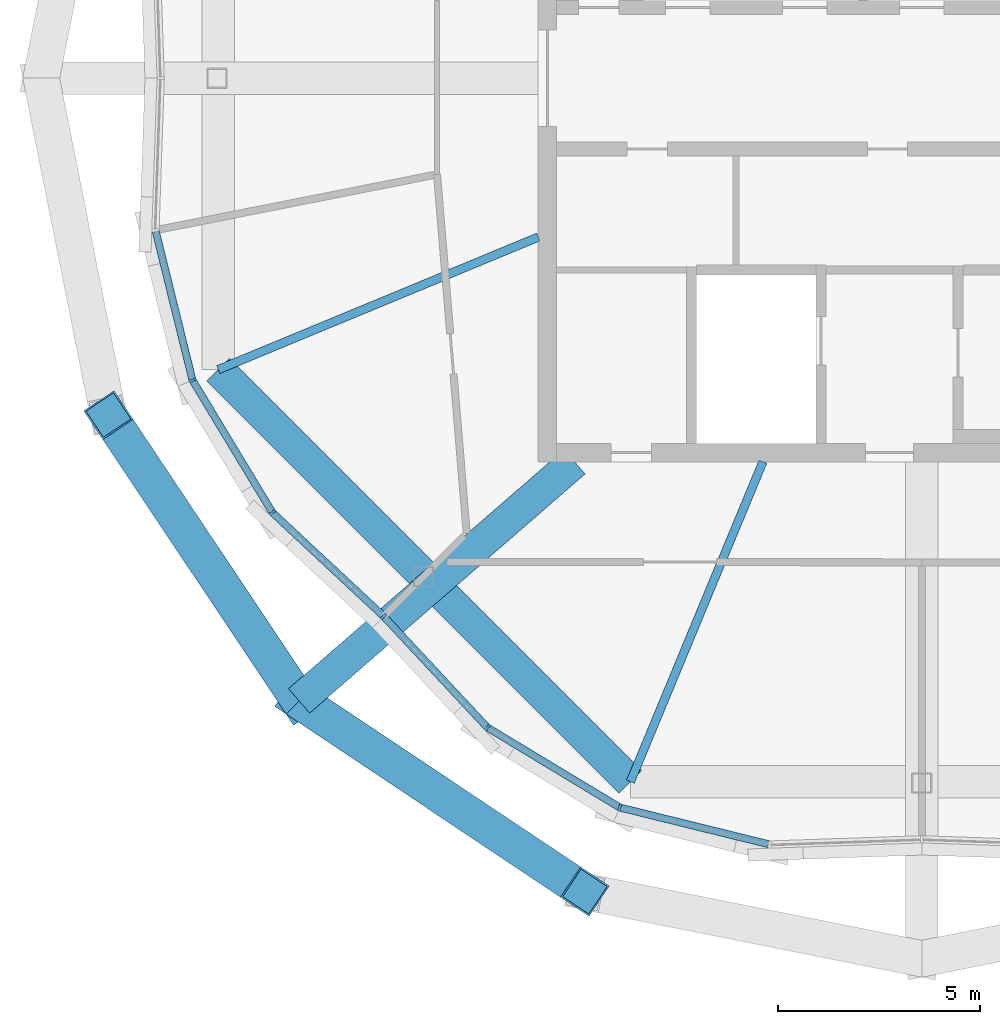
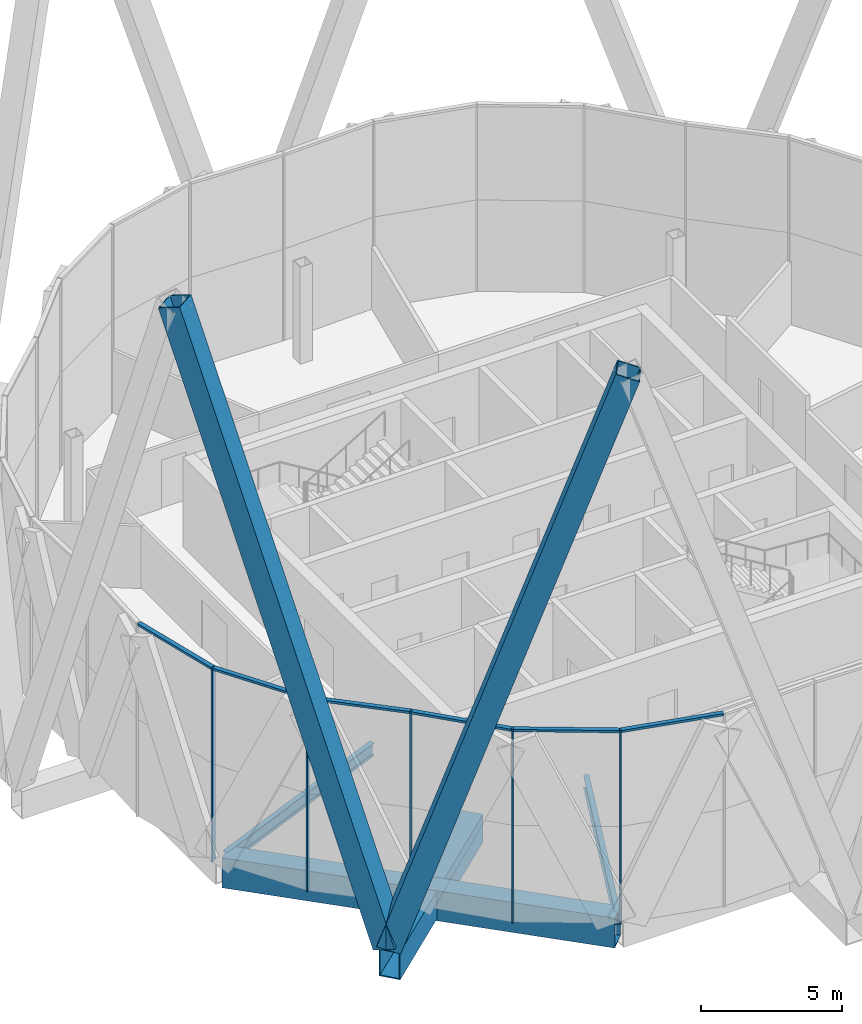
# One storey, part 3 of 38: 13 members, 4 beams, 2 elements without a shape of their own.
"""IFC4 building model written with IfcOpenShell, lengths in metres."""

from ifc_helpers import new_model, si_unit, direction, frame, origin, origin_2d, place, context, subcontext, project, spatial, rectangle, hollow_rectangle, i_section, extrude, material, material_profile, profile_set, type_object, element, aggregate, save


model = new_model("IFC4")

# Units and contexts
model_context = context("Model", 3, precision=1e-05, world=origin(), true_north=direction((0.0, 1.0)))
body_context = subcontext(model_context, "Body", "Model", "MODEL_VIEW")
ifc_project = project(units=[si_unit("LENGTHUNIT", "METRE"), si_unit("AREAUNIT", "SQUARE_METRE"), si_unit("VOLUMEUNIT", "CUBIC_METRE"), si_unit("PLANEANGLEUNIT", "RADIAN"), si_unit("MASSUNIT", "GRAM", prefix="KILO")], contexts=[model_context])

# Site, building, storey
site_placement = place(None, origin())
site = spatial("IfcSite", under=ifc_project, at=site_placement, CompositionType="ELEMENT")
building_placement = place(site_placement, origin())
building = spatial("IfcBuilding", under=site, at=building_placement, Name="Ogive Gate Towers", CompositionType="ELEMENT")
storey_placement = place(building_placement, frame((0.0, 0.0, 268.800048828125)))
storey = spatial("IfcBuildingStorey", under=building, at=storey_placement, Name="L63", CompositionType="ELEMENT", Elevation=268.800048828125)

# Members
ifc_material_1 = material(Name="Steel SM460", Category="steel")
ifc_material_profile_1 = material_profile(ifc_material_1, hollow_rectangle(XDim=0.89990234375, YDim=0.89990234375, WallThickness=0.0400390625, at=origin_2d()), Name="BX 900x900x40")
ifc_profile_set_1 = profile_set([ifc_material_profile_1], Name="Steel SM460")
member_type_1 = type_object("IfcMemberType", Name="Diagrid diagonal BX 900x900x40", PredefinedType="BRACE", material=ifc_profile_set_1)
for number, where, z_axis, x_axis, name in (
    (1, (-51.422119140625, -15.422119140625, 0.0), (-0.177577062234, 0.266099402159, 0.947447885184), (-0.831794180755, -0.555084174574, 0.0), "T1/L63/SDG011"),
    (2, (-51.422119140625, -15.422119140625, 0.0), (0.266099402159, -0.177577062234, 0.947447885184), (0.555084174574, 0.831794180755, 0.0), "T1/L63/SDG012"),
):
    element("IfcMember", number, at=place(storey_placement, frame(where, z_axis=z_axis, x_axis=x_axis)), inside=storey, type_object=member_type_1, Name=name, PredefinedType="BRACE", context=body_context, shape_type="SweptSolid", body=[
        extrude(hollow_rectangle(XDim=0.89990234375, YDim=0.89990234375, WallThickness=0.0400390625, at=origin_2d()), origin(), (0.0, 0.0, 1.0), 26.59765625),
    ])

# Beams
ifc_material_profile_2 = material_profile(ifc_material_1, hollow_rectangle(XDim=0.800048828125, YDim=1.300048828125, WallThickness=0.050048828125, at=origin_2d()), Name="BX 1300x800x50")
ifc_profile_set_2 = profile_set([ifc_material_profile_2], Name="Steel SM460")
beam_type_1 = type_object("IfcBeamType", Name="Edge girder BX 1300x800x50", PredefinedType="BEAM", material=ifc_profile_set_2)
beam_1_placement = place(storey_placement, frame((-53.42431640625, -7.217529296875, -0.949951171875), z_axis=(0.707106781187, -0.707106781187, 0.0), x_axis=(0.707106781187, 0.707106781187, 0.0)))
element("IfcBeam", 3, at=beam_1_placement, inside=storey, type_object=beam_type_1, Name="T1/L63/SBM017", PredefinedType="BEAM", context=body_context, shape_type="SweptSolid", body=[
    extrude(hollow_rectangle(XDim=0.800048828125, YDim=1.300048828125, WallThickness=0.050048828125, at=origin_2d()), origin(), (0.0, 0.0, 1.0), 14.4345703125),
])
ifc_material_2 = material(Name="Steel SM355", Category="steel")
ifc_material_profile_3 = material_profile(ifc_material_2, i_section(OverallWidth=0.2099609375, OverallDepth=0.550048828125, WebThickness=0.010986328125, FlangeThickness=0.01708984375, FilletRadius=0.02392578125, at=origin_2d()), Name="IPE 550")
ifc_profile_set_3 = profile_set([ifc_material_profile_3], Name="Steel SM355")
beam_type_2 = type_object("IfcBeamType", Name="Radial floor beam IPE 550", PredefinedType="BEAM", material=ifc_profile_set_3)
for number, where, z_axis, x_axis, name in (
    (4, (-45.5, -3.93505859375, -0.574951171875), (-0.923874941579, -0.382694515667, 0.0), (0.382694515667, -0.923874941579, 0.0), "T1/L63/SBM001"),
    (5, (-39.93505859375, -9.5, -0.574951171875), (-0.382694515667, -0.923874941579, 0.0), (0.923874941579, -0.382694515667, 0.0), "T1/L63/SBM003"),
):
    element("IfcBeam", number, at=place(storey_placement, frame(where, z_axis=z_axis, x_axis=x_axis)), inside=storey, type_object=beam_type_2, Name=name, PredefinedType="BEAM", context=body_context, shape_type="SweptSolid", body=[
        extrude(i_section(OverallWidth=0.2099609375, OverallDepth=0.550048828125, WebThickness=0.010986328125, FlangeThickness=0.01708984375, FilletRadius=0.02392578125, at=origin_2d()), origin(), (0.0, 0.0, 1.0), 8.5771484375),
    ])

# Curtain wall, members
ifc_material_3 = material(Name="Pale metal aluminium", Category="aluminium")
curtain_wall_type = type_object("IfcCurtainWallType", Name="Tower unitised wall, high zone", PredefinedType="NOTDEFINED", material=ifc_material_3)
curtain_wall_1_placement = place(storey_placement, origin())
curtain_wall_1 = element("IfcCurtainWall", 6, at=curtain_wall_1_placement, inside=storey, type_object=curtain_wall_type, Name="CW2 T1 ECW05", PredefinedType="NOTDEFINED")
ifc_material_profile_4 = material_profile(ifc_material_3, rectangle(XDim=0.179931640625, YDim=0.06005859375, at=origin_2d()), Name="60 x 180 aluminium box")
ifc_profile_set_4 = profile_set([ifc_material_profile_4], Name="Pale metal aluminium")
member_type_2 = type_object("IfcMemberType", Name="Tower unitised wall, high zone mullion 60 x 180", PredefinedType="MULLION", material=ifc_profile_set_4)
member_1_placement = place(storey_placement, frame((-54.06298828125, -7.48193359375, -0.300048828125), z_axis=(0.0, 0.0, 1.0), x_axis=(-0.923879532511, -0.382683432365, 0.0)))
member_1 = element("IfcMember", 7, at=member_1_placement, type_object=member_type_2, Name="CW2 mullion", PredefinedType="MULLION", context=body_context, shape_type="SweptSolid", body=[
    extrude(rectangle(XDim=0.179931640625, YDim=0.06005859375, at=origin_2d()), origin(), (0.0, 0.0, 1.0), 8.39990234375),
])
member_2_placement = place(storey_placement, frame((-52.084716796875, -10.757568359375, -0.300048828125), z_axis=(0.0, 0.0, 1.0), x_axis=(-0.776563492267, -0.630039000759, 0.0)))
member_2 = element("IfcMember", 8, at=member_2_placement, type_object=member_type_2, Name="CW2 mullion", PredefinedType="MULLION", context=body_context, shape_type="SweptSolid", body=[
    extrude(rectangle(XDim=0.179931640625, YDim=0.06005859375, at=origin_2d()), origin(), (0.0, 0.0, 1.0), 8.39990234375),
])
member_3_placement = place(storey_placement, frame((-49.329345703125, -13.328857421875, -0.300048828125), z_axis=(0.0, 0.0, 1.0), x_axis=(-0.682253609109, -0.73111559473, 0.0)))
member_3 = element("IfcMember", 9, at=member_3_placement, type_object=member_type_2, Name="CW2 mullion", PredefinedType="MULLION", context=body_context, shape_type="SweptSolid", body=[
    extrude(rectangle(XDim=0.179931640625, YDim=0.06005859375, at=origin_2d()), origin(), (0.0, 0.0, 1.0), 8.39990234375),
])

curtain_wall_2_placement = place(storey_placement, origin())
curtain_wall_2 = element("IfcCurtainWall", 10, at=curtain_wall_2_placement, inside=storey, type_object=curtain_wall_type, Name="CW2 T1 ECW06", PredefinedType="NOTDEFINED")
member_4_placement = place(storey_placement, frame((-46.757568359375, -16.084716796875, -0.300048828125), z_axis=(0.0, 0.0, 1.0), x_axis=(-0.630039000759, -0.776563492267, 0.0)))
member_4 = element("IfcMember", 11, at=member_4_placement, type_object=member_type_2, Name="CW2 mullion", PredefinedType="MULLION", context=body_context, shape_type="SweptSolid", body=[
    extrude(rectangle(XDim=0.179931640625, YDim=0.06005859375, at=origin_2d()), origin(), (0.0, 0.0, 1.0), 8.39990234375),
])
member_5_placement = place(storey_placement, frame((-43.48193359375, -18.06298828125, -0.300048828125), z_axis=(0.0, 0.0, 1.0), x_axis=(-0.382683432365, -0.923879532511, 0.0)))
member_5 = element("IfcMember", 12, at=member_5_placement, type_object=member_type_2, Name="CW2 mullion", PredefinedType="MULLION", context=body_context, shape_type="SweptSolid", body=[
    extrude(rectangle(XDim=0.179931640625, YDim=0.06005859375, at=origin_2d()), origin(), (0.0, 0.0, 1.0), 8.39990234375),
])

# Member
ifc_material_profile_5 = material_profile(ifc_material_3, rectangle(XDim=0.179931640625, YDim=0.10009765625, at=origin_2d()), Name="100 x 180 aluminium box")
ifc_profile_set_5 = profile_set([ifc_material_profile_5], Name="Pale metal aluminium")
member_type_3 = type_object("IfcMemberType", Name="Tower unitised wall, high zone transom 100 x 180", PredefinedType="USERDEFINED", material=ifc_profile_set_5)
member_6_placement = place(storey_placement, frame((-54.973388671875, -3.794677734375, 8.050048828125), z_axis=(0.239776231218, -0.970828181988, 0.0), x_axis=(0.970828181988, 0.239776231218, 0.0)))
member_6 = element("IfcMember", 13, at=member_6_placement, type_object=member_type_3, Name="CW2 transom", ObjectType="TRANSOM", PredefinedType="USERDEFINED", context=body_context, shape_type="SweptSolid", body=[
    extrude(rectangle(XDim=0.179931640625, YDim=0.10009765625, at=origin_2d()), origin(), (0.0, 0.0, 1.0), 3.769287109375),
])

member_7_placement = place(storey_placement, frame((-54.048095703125, -7.506103515625, 8.050048828125), z_axis=(0.516960440677, -0.856009288954, 0.0), x_axis=(0.856009288954, 0.516960440677, 0.0)))
member_7 = element("IfcMember", 14, at=member_7_placement, type_object=member_type_3, Name="CW2 transom", ObjectType="TRANSOM", PredefinedType="USERDEFINED", context=body_context, shape_type="SweptSolid", body=[
    extrude(rectangle(XDim=0.179931640625, YDim=0.10009765625, at=origin_2d()), origin(), (0.0, 0.0, 1.0), 3.76953125),
])

member_8_placement = place(storey_placement, frame((-52.063720703125, -10.777099609375, 8.050048828125), z_axis=(0.731099032863, -0.682271356681, 0.0), x_axis=(0.682271356681, 0.731099032863, 0.0)))
member_8 = element("IfcMember", 15, at=member_8_placement, type_object=member_type_3, Name="CW2 transom", ObjectType="TRANSOM", PredefinedType="USERDEFINED", context=body_context, shape_type="SweptSolid", body=[
    extrude(rectangle(XDim=0.179931640625, YDim=0.10009765625, at=origin_2d()), origin(), (0.0, 0.0, 1.0), 3.7099609375),
])

aggregate(curtain_wall_1, [member_1, member_6, member_2, member_7, member_3, member_8])

member_9_placement = place(storey_placement, frame((-49.308349609375, -13.351318359375, 8.050048828125), z_axis=(0.682271356681, -0.731099032863, 0.0), x_axis=(0.731099032863, 0.682271356681, 0.0)))
member_9 = element("IfcMember", 16, at=member_9_placement, type_object=member_type_3, Name="CW2 transom", ObjectType="TRANSOM", PredefinedType="USERDEFINED", context=body_context, shape_type="SweptSolid", body=[
    extrude(rectangle(XDim=0.179931640625, YDim=0.10009765625, at=origin_2d()), origin(), (0.0, 0.0, 1.0), 3.7099609375),
])

member_10_placement = place(storey_placement, frame((-46.73291015625, -16.099365234375, 8.050048828125), z_axis=(0.856009288954, -0.516960440677, 0.0), x_axis=(0.516960440677, 0.856009288954, 0.0)))
member_10 = element("IfcMember", 17, at=member_10_placement, type_object=member_type_3, Name="CW2 transom", ObjectType="TRANSOM", PredefinedType="USERDEFINED", context=body_context, shape_type="SweptSolid", body=[
    extrude(rectangle(XDim=0.179931640625, YDim=0.10009765625, at=origin_2d()), origin(), (0.0, 0.0, 1.0), 3.76953125),
])

member_11_placement = place(storey_placement, frame((-43.4541015625, -18.069580078125, 8.050048828125), z_axis=(0.970828181988, -0.239776231218, 0.0), x_axis=(0.239776231218, 0.970828181988, 0.0)))
member_11 = element("IfcMember", 18, at=member_11_placement, type_object=member_type_3, Name="CW2 transom", ObjectType="TRANSOM", PredefinedType="USERDEFINED", context=body_context, shape_type="SweptSolid", body=[
    extrude(rectangle(XDim=0.179931640625, YDim=0.10009765625, at=origin_2d()), origin(), (0.0, 0.0, 1.0), 3.769287109375),
])

aggregate(curtain_wall_2, [member_4, member_9, member_5, member_10, member_11])

# Beam
ifc_material_profile_6 = material_profile(ifc_material_1, hollow_rectangle(XDim=0.800048828125, YDim=1.199951171875, WallThickness=0.050048828125, at=origin_2d()), Name="BX 1200x800x50")
ifc_profile_set_6 = profile_set([ifc_material_profile_6], Name="Steel SM460")
beam_type_3 = type_object("IfcBeamType", Name="Transfer radial beam BX 1200x800x50", PredefinedType="BEAM", material=ifc_profile_set_6)
beam_2_placement = place(storey_placement, frame((-44.60009765625, -9.5, -0.900146484375), z_axis=(-0.755157389596, -0.655543527875, 0.0), x_axis=(0.655543527875, -0.755157389596, 0.0)))
element("IfcBeam", 19, at=beam_2_placement, inside=storey, type_object=beam_type_3, Name="T1/L63/SBM002", PredefinedType="BEAM", context=body_context, shape_type="SweptSolid", body=[
    extrude(hollow_rectangle(XDim=0.800048828125, YDim=1.199951171875, WallThickness=0.050048828125, at=origin_2d()), origin(), (0.0, 0.0, 1.0), 9.033935546875),
])

save(model, "model.ifc")
